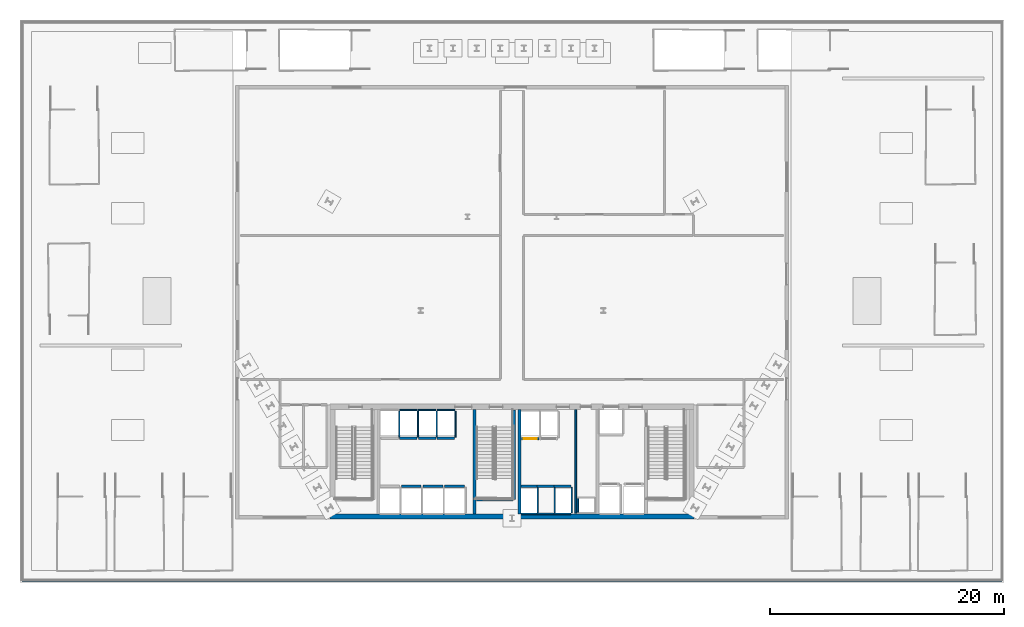
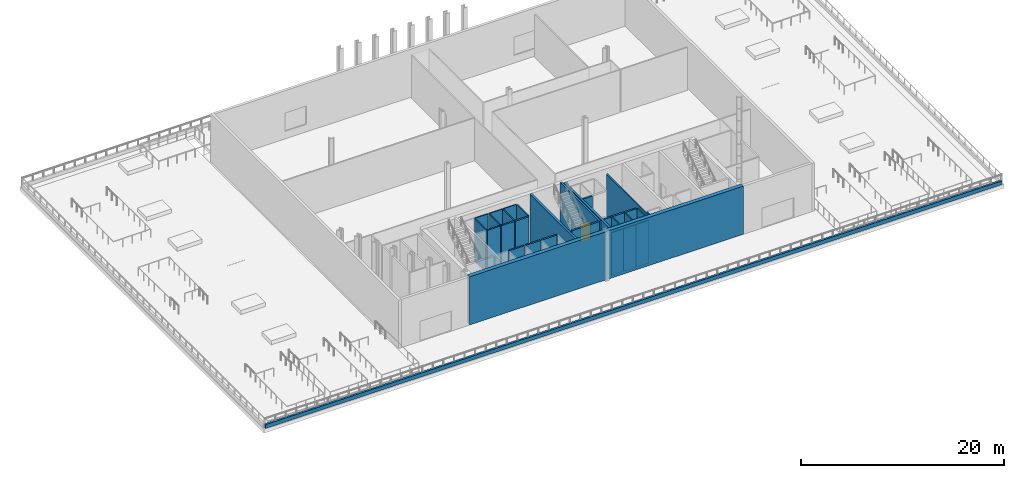
# One storey, part 4 of 13: 31 walls, 1 door, 1 opening.
"""IFC4 building model written with IfcOpenShell, lengths in metres."""

from ifc_helpers import new_model, si_unit, direction, frame, frame_2d, origin, place, context, subcontext, project, spatial, rectangle, extrude, material, layer, layer_set, type_object, element, fill, save


model = new_model("IFC4")

# Units and contexts
model_context = context("Model", 3, precision=1e-05, world=origin(), true_north=direction((0.0, 1.0)))
body_context = subcontext(model_context, "Body", "Model", "MODEL_VIEW")
ifc_project = project(units=[si_unit("LENGTHUNIT", "METRE"), si_unit("AREAUNIT", "SQUARE_METRE"), si_unit("VOLUMEUNIT", "CUBIC_METRE"), si_unit("PLANEANGLEUNIT", "RADIAN"), si_unit("MASSUNIT", "GRAM", prefix="KILO")], contexts=[model_context])

# Site, building, storey
site_placement = place(None, origin())
site = spatial("IfcSite", under=ifc_project, at=site_placement, CompositionType="ELEMENT")
building_placement = place(site_placement, origin())
building = spatial("IfcBuilding", under=site, at=building_placement, Name="Ndaravel Arena Tower", CompositionType="ELEMENT")
storey_placement = place(building_placement, frame((0.0, 0.0, 30.0)))
storey = spatial("IfcBuildingStorey", under=building, at=storey_placement, Name="L05", CompositionType="ELEMENT", Elevation=30.0)

# Walls
ifc_material_1 = material(Name="Gypsum", Category="gypsum")
ifc_layer_1 = layer(ifc_material_1, 0.14990234375)
ifc_layer_set_1 = layer_set([ifc_layer_1], Name="Gypsum")
wall_type_1 = type_object("IfcWallType", Name="WALL-COMP-150", PredefinedType="PARTITIONING", material=ifc_layer_set_1)
wall_1_placement = place(storey_placement, frame((47.449951171875, 5.89990234375, 0.0), z_axis=(0.0, 0.0, 1.0), x_axis=(0.0, 1.0, 0.0)))
element("IfcWall", 1, at=wall_1_placement, inside=storey, type_object=wall_type_1, Name="L05 Core Riser Bay Partition", PredefinedType="PARTITIONING", context=body_context, shape_type="SweptSolid", body=[
    extrude(rectangle(XDim=8.85009765625, YDim=0.14990234375, at=frame_2d((4.425048828125, 0.0))), origin(), (0.0, 0.0, 1.0), 5.1328125),
])
ifc_material_2 = material(Name="Concrete C60/75", Category="concrete")
ifc_layer_2 = layer(ifc_material_2, 0.25)
ifc_layer_set_2 = layer_set([ifc_layer_2], Name="Concrete C60/75")
wall_type_2 = type_object("IfcWallType", Name="WALL-CORE-250", PredefinedType="SOLIDWALL", material=ifc_layer_set_2)
for number, where, z_axis, x_axis, name in (
    (2, (38.800048828125, 5.85009765625, 0.0), (0.0, 0.0, 1.0), (0.0, 1.0, 0.0), "L05 Core Web Shear Wall 2"),
    (3, (42.64990234375, 5.85009765625, 0.0), (0.0, 0.0, 1.0), (0.0, 1.0, 0.0), "L05 Core Web Shear Wall 3"),
):
    element("IfcWall", number, at=place(storey_placement, frame(where, z_axis=z_axis, x_axis=x_axis)), inside=storey, type_object=wall_type_2, Name=name, PredefinedType="SOLIDWALL", context=body_context, shape_type="SweptSolid", body=[
        extrude(rectangle(XDim=8.89990234375, YDim=0.25, at=frame_2d((4.449951171875, 0.0))), origin(), (0.0, 0.0, 1.0), 5.780029296875),
    ])
ifc_material_3 = material(Name="Concrete C60/75", Category="concrete")
ifc_layer_3 = layer(ifc_material_3, 0.449951171875)
ifc_layer_set_3 = layer_set([ifc_layer_3], Name="Concrete C60/75")
wall_type_3 = type_object("IfcWallType", Name="WALL-CORE-450", PredefinedType="SOLIDWALL", material=ifc_layer_set_3)
wall_2_placement = place(storey_placement, frame((26.449951171875, 5.625, 0.0), z_axis=(0.0, 0.0, 1.0), x_axis=(1.0, 0.0, 0.0)))
element("IfcWall", 4, at=wall_2_placement, inside=storey, type_object=wall_type_3, Name="L05 Core South Shear Wall", PredefinedType="SOLIDWALL", context=body_context, shape_type="SweptSolid", body=[
    extrude(rectangle(XDim=31.10009765625, YDim=0.449951171875, at=frame_2d((15.550048828125, 0.0))), origin(), (0.0, 0.0, 1.0), 5.780029296875),
])
ifc_material_4 = material(Name="Masonry", Category="masonry")
ifc_layer_4 = layer(ifc_material_4, 0.219970703125)
ifc_layer_set_4 = layer_set([ifc_layer_4], Name="Masonry")
wall_type_4 = type_object("IfcWallType", Name="WALL-PARAPET-220", PredefinedType="PARAPET", material=ifc_layer_set_4)
wall_3_placement = place(storey_placement, frame((0.179931640625, 0.179931640625, 0.0), z_axis=(0.0, 0.0, 1.0), x_axis=(1.0, 0.0, 0.0)))
element("IfcWall", 5, at=wall_3_placement, inside=storey, type_object=wall_type_4, Name="L05 Garden Mazeras Upstand 1", PredefinedType="PARAPET", context=body_context, shape_type="SweptSolid", body=[
    extrude(rectangle(XDim=83.64013671875, YDim=0.219970703125, at=frame_2d((41.820068359375, 0.0))), origin(), (0.0, 0.0, 1.0), 0.449951171875),
])
ifc_material_5 = material(Name="Concrete C40/50", Category="concrete")
ifc_layer_5 = layer(ifc_material_5, 0.1201171875)
ifc_layer_set_5 = layer_set([ifc_layer_5], Name="Concrete C40/50")
wall_type_5 = type_object("IfcWallType", Name="WALL-SHAFT-120", PredefinedType="SOLIDWALL", material=ifc_layer_set_5)
wall_4_placement = place(storey_placement, frame((47.6201171875, 6.0, 0.0), z_axis=(0.0, 0.0, 1.0), x_axis=(0.0, 1.0, 0.0)))
element("IfcWall", 6, at=wall_4_placement, inside=storey, type_object=wall_type_5, Name="L05 MEP Riser Shaft W Wall", PredefinedType="SOLIDWALL", context=body_context, shape_type="SweptSolid", body=[
    extrude(rectangle(XDim=1.139892578125, YDim=0.1201171875, at=frame_2d((0.56982421875, 0.0))), origin(), (0.0, 0.0, 1.0), 5.1328125),
])
wall_5_placement = place(storey_placement, frame((32.375, 12.389892578125, 0.0), z_axis=(0.0, 0.0, 1.0), x_axis=(0.0, 1.0, 0.0)))
element("IfcWall", 7, at=wall_5_placement, inside=storey, type_object=wall_type_5, Name="L05 PL-M1 Shaft Side R Wall", PredefinedType="SOLIDWALL", context=body_context, shape_type="SweptSolid", body=[
    extrude(rectangle(XDim=2.230224609375, YDim=0.1201171875, at=frame_2d((1.115234375, 0.0))), origin(), (0.0, 0.0, 1.0), 5.1328125),
])
wall_6_placement = place(storey_placement, frame((32.405029296875, 14.7099609375, 0.0), z_axis=(0.0, 0.0, 1.0), x_axis=(1.0, 0.0, 0.0)))
element("IfcWall", 8, at=wall_6_placement, inside=storey, type_object=wall_type_5, Name="L05 PL-M2 Shaft Rear Wall", PredefinedType="SOLIDWALL", context=body_context, shape_type="SweptSolid", body=[
    extrude(rectangle(XDim=1.489990234375, YDim=0.1201171875, at=frame_2d((0.7451171875, 0.0))), origin(), (0.0, 0.0, 1.0), 5.1328125),
])
wall_7_placement = place(storey_placement, frame((33.97509765625, 12.389892578125, 0.0), z_axis=(0.0, 0.0, 1.0), x_axis=(0.0, 1.0, 0.0)))
element("IfcWall", 9, at=wall_7_placement, inside=storey, type_object=wall_type_5, Name="L05 PL-M2 Shaft Side R Wall", PredefinedType="SOLIDWALL", context=body_context, shape_type="SweptSolid", body=[
    extrude(rectangle(XDim=2.230224609375, YDim=0.1201171875, at=frame_2d((1.115234375, 0.0))), origin(), (0.0, 0.0, 1.0), 5.1328125),
])
wall_8_placement = place(storey_placement, frame((34.0048828125, 14.7099609375, 0.0), z_axis=(0.0, 0.0, 1.0), x_axis=(1.0, 0.0, 0.0)))
element("IfcWall", 10, at=wall_8_placement, inside=storey, type_object=wall_type_5, Name="L05 PL-M3 Shaft Rear Wall", PredefinedType="SOLIDWALL", context=body_context, shape_type="SweptSolid", body=[
    extrude(rectangle(XDim=1.490234375, YDim=0.1201171875, at=frame_2d((0.7451171875, 0.0))), origin(), (0.0, 0.0, 1.0), 5.1328125),
])
wall_9_placement = place(storey_placement, frame((35.574951171875, 12.389892578125, 0.0), z_axis=(0.0, 0.0, 1.0), x_axis=(0.0, 1.0, 0.0)))
element("IfcWall", 11, at=wall_9_placement, inside=storey, type_object=wall_type_5, Name="L05 PL-M3 Shaft Side R Wall", PredefinedType="SOLIDWALL", context=body_context, shape_type="SweptSolid", body=[
    extrude(rectangle(XDim=2.230224609375, YDim=0.1201171875, at=frame_2d((1.115234375, 0.0))), origin(), (0.0, 0.0, 1.0), 5.1328125),
])
wall_10_placement = place(storey_placement, frame((35.60498046875, 14.7099609375, 0.0), z_axis=(0.0, 0.0, 1.0), x_axis=(1.0, 0.0, 0.0)))
element("IfcWall", 12, at=wall_10_placement, inside=storey, type_object=wall_type_5, Name="L05 PL-M4 Shaft Rear Wall", PredefinedType="SOLIDWALL", context=body_context, shape_type="SweptSolid", body=[
    extrude(rectangle(XDim=1.489990234375, YDim=0.1201171875, at=frame_2d((0.7451171875, 0.0))), origin(), (0.0, 0.0, 1.0), 5.1328125),
])
wall_11_placement = place(storey_placement, frame((37.175048828125, 12.389892578125, 0.0), z_axis=(0.0, 0.0, 1.0), x_axis=(0.0, 1.0, 0.0)))
element("IfcWall", 13, at=wall_11_placement, inside=storey, type_object=wall_type_5, Name="L05 PL-M4 Shaft Side R Wall", PredefinedType="SOLIDWALL", context=body_context, shape_type="SweptSolid", body=[
    extrude(rectangle(XDim=2.230224609375, YDim=0.1201171875, at=frame_2d((1.115234375, 0.0))), origin(), (0.0, 0.0, 1.0), 5.1328125),
])
wall_12_placement = place(storey_placement, frame((42.780029296875, 5.840087890625, 0.0), z_axis=(0.0, 0.0, 1.0), x_axis=(1.0, 0.0, 0.0)))
element("IfcWall", 14, at=wall_12_placement, inside=storey, type_object=wall_type_5, Name="L05 PL-H1 Shaft Rear Wall", PredefinedType="SOLIDWALL", context=body_context, shape_type="SweptSolid", body=[
    extrude(rectangle(XDim=1.340087890625, YDim=0.1201171875, at=frame_2d((0.669921875, 0.0))), origin(), (0.0, 0.0, 1.0), 5.1328125),
])
wall_13_placement = place(storey_placement, frame((44.199951171875, 5.929931640625, 0.0), z_axis=(0.0, 0.0, 1.0), x_axis=(0.0, 1.0, 0.0)))
element("IfcWall", 15, at=wall_13_placement, inside=storey, type_object=wall_type_5, Name="L05 PL-H1 Shaft Side R Wall", PredefinedType="SOLIDWALL", context=body_context, shape_type="SweptSolid", body=[
    extrude(rectangle(XDim=2.18017578125, YDim=0.1201171875, at=frame_2d((1.090087890625, 0.0))), origin(), (0.0, 0.0, 1.0), 5.1328125),
])
wall_14_placement = place(storey_placement, frame((44.1298828125, 5.840087890625, 0.0), z_axis=(0.0, 0.0, 1.0), x_axis=(1.0, 0.0, 0.0)))
element("IfcWall", 16, at=wall_14_placement, inside=storey, type_object=wall_type_5, Name="L05 PL-H2 Shaft Rear Wall", PredefinedType="SOLIDWALL", context=body_context, shape_type="SweptSolid", body=[
    extrude(rectangle(XDim=1.440185546875, YDim=0.1201171875, at=frame_2d((0.72021484375, 0.0))), origin(), (0.0, 0.0, 1.0), 5.1328125),
])
wall_15_placement = place(storey_placement, frame((45.64990234375, 5.929931640625, 0.0), z_axis=(0.0, 0.0, 1.0), x_axis=(0.0, 1.0, 0.0)))
element("IfcWall", 17, at=wall_15_placement, inside=storey, type_object=wall_type_5, Name="L05 PL-H2 Shaft Side R Wall", PredefinedType="SOLIDWALL", context=body_context, shape_type="SweptSolid", body=[
    extrude(rectangle(XDim=2.18017578125, YDim=0.1201171875, at=frame_2d((1.090087890625, 0.0))), origin(), (0.0, 0.0, 1.0), 5.1328125),
])
wall_16_placement = place(storey_placement, frame((45.580078125, 5.840087890625, 0.0), z_axis=(0.0, 0.0, 1.0), x_axis=(1.0, 0.0, 0.0)))
element("IfcWall", 18, at=wall_16_placement, inside=storey, type_object=wall_type_5, Name="L05 PL-H3 Shaft Rear Wall", PredefinedType="SOLIDWALL", context=body_context, shape_type="SweptSolid", body=[
    extrude(rectangle(XDim=1.43994140625, YDim=0.1201171875, at=frame_2d((0.719970703125, 0.0))), origin(), (0.0, 0.0, 1.0), 5.1328125),
])
wall_17_placement = place(storey_placement, frame((47.10009765625, 5.929931640625, 0.0), z_axis=(0.0, 0.0, 1.0), x_axis=(0.0, 1.0, 0.0)))
element("IfcWall", 19, at=wall_17_placement, inside=storey, type_object=wall_type_5, Name="L05 PL-H3 Shaft Side R Wall", PredefinedType="SOLIDWALL", context=body_context, shape_type="SweptSolid", body=[
    extrude(rectangle(XDim=2.18017578125, YDim=0.1201171875, at=frame_2d((1.090087890625, 0.0))), origin(), (0.0, 0.0, 1.0), 5.1328125),
])
ifc_material_6 = material(Name="Concrete C40/50", Category="concrete")
ifc_layer_6 = layer(ifc_material_6, 0.199951171875)
ifc_layer_set_6 = layer_set([ifc_layer_6], Name="Concrete C40/50")
wall_type_6 = type_object("IfcWallType", Name="WALL-SHAFT-200", PredefinedType="SOLIDWALL", material=ifc_layer_set_6)
wall_18_placement = place(storey_placement, frame((42.18994140625, 14.699951171875, 0.0), z_axis=(0.0, 0.0, 1.0), x_axis=(0.0, -1.0, 0.0)))
element("IfcWall", 20, at=wall_18_placement, inside=storey, type_object=wall_type_6, Name="L05 ST-2 Structural Shaft Wall Right", PredefinedType="SOLIDWALL", context=body_context, shape_type="SweptSolid", body=[
    extrude(rectangle(XDim=7.64990234375, YDim=0.199951171875, at=frame_2d((3.824951171875, 0.0))), origin(), (0.0, 0.0, 1.0), 6.0),
])
wall_19_placement = place(storey_placement, frame((38.969970703125, 7.050048828125, 0.0), z_axis=(0.0, 0.0, 1.0), x_axis=(1.0, 0.0, 0.0)))
element("IfcWall", 21, at=wall_19_placement, inside=storey, type_object=wall_type_6, Name="L05 ST-2 Structural Shaft Wall Far", PredefinedType="SOLIDWALL", context=body_context, shape_type="SweptSolid", body=[
    extrude(rectangle(XDim=3.114990234375, YDim=0.199951171875, at=frame_2d((1.5576171875, 0.0))), origin(), (0.0, 0.0, 1.0), 6.0),
])
wall_20_placement = place(storey_placement, frame((32.554931640625, 8.199951171875, 0.0), z_axis=(0.0, 0.0, 1.0), x_axis=(1.0, 0.0, 0.0)))
element("IfcWall", 22, at=wall_20_placement, inside=storey, type_object=wall_type_6, Name="L05 PL-L2 Shaft Landing Wall", PredefinedType="SOLIDWALL", context=body_context, shape_type="SweptSolid", body=[
    extrude(rectangle(XDim=1.690185546875, YDim=0.179931640625, at=frame_2d((0.84521484375, 0.0))), origin(), (0.0, 0.0, 1.0), 5.1328125),
])
wall_21_placement = place(storey_placement, frame((34.405029296875, 8.199951171875, 0.0), z_axis=(0.0, 0.0, 1.0), x_axis=(1.0, 0.0, 0.0)))
element("IfcWall", 23, at=wall_21_placement, inside=storey, type_object=wall_type_6, Name="L05 PL-L3 Shaft Landing Wall", PredefinedType="SOLIDWALL", context=body_context, shape_type="SweptSolid", body=[
    extrude(rectangle(XDim=1.68994140625, YDim=0.179931640625, at=frame_2d((0.844970703125, 0.0))), origin(), (0.0, 0.0, 1.0), 5.1328125),
])
wall_22_placement = place(storey_placement, frame((36.2548828125, 8.199951171875, 0.0), z_axis=(0.0, 0.0, 1.0), x_axis=(1.0, 0.0, 0.0)))
element("IfcWall", 24, at=wall_22_placement, inside=storey, type_object=wall_type_6, Name="L05 PL-L4 Shaft Landing Wall", PredefinedType="SOLIDWALL", context=body_context, shape_type="SweptSolid", body=[
    extrude(rectangle(XDim=1.690185546875, YDim=0.179931640625, at=frame_2d((0.84521484375, 0.0))), origin(), (0.0, 0.0, 1.0), 5.1328125),
])
wall_23_placement = place(storey_placement, frame((32.405029296875, 12.300048828125, 0.0), z_axis=(0.0, 0.0, 1.0), x_axis=(1.0, 0.0, 0.0)))
element("IfcWall", 25, at=wall_23_placement, inside=storey, type_object=wall_type_6, Name="L05 PL-M2 Shaft Landing Wall", PredefinedType="SOLIDWALL", context=body_context, shape_type="SweptSolid", body=[
    extrude(rectangle(XDim=1.489990234375, YDim=0.179931640625, at=frame_2d((0.7451171875, 0.0))), origin(), (0.0, 0.0, 1.0), 5.1328125),
])
wall_24_placement = place(storey_placement, frame((34.0048828125, 12.300048828125, 0.0), z_axis=(0.0, 0.0, 1.0), x_axis=(1.0, 0.0, 0.0)))
element("IfcWall", 26, at=wall_24_placement, inside=storey, type_object=wall_type_6, Name="L05 PL-M3 Shaft Landing Wall", PredefinedType="SOLIDWALL", context=body_context, shape_type="SweptSolid", body=[
    extrude(rectangle(XDim=1.490234375, YDim=0.179931640625, at=frame_2d((0.7451171875, 0.0))), origin(), (0.0, 0.0, 1.0), 5.1328125),
])
wall_25_placement = place(storey_placement, frame((35.60498046875, 12.300048828125, 0.0), z_axis=(0.0, 0.0, 1.0), x_axis=(1.0, 0.0, 0.0)))
element("IfcWall", 27, at=wall_25_placement, inside=storey, type_object=wall_type_6, Name="L05 PL-M4 Shaft Landing Wall", PredefinedType="SOLIDWALL", context=body_context, shape_type="SweptSolid", body=[
    extrude(rectangle(XDim=1.489990234375, YDim=0.179931640625, at=frame_2d((0.7451171875, 0.0))), origin(), (0.0, 0.0, 1.0), 5.1328125),
])
wall_26_placement = place(storey_placement, frame((42.780029296875, 8.199951171875, 0.0), z_axis=(0.0, 0.0, 1.0), x_axis=(1.0, 0.0, 0.0)))
element("IfcWall", 28, at=wall_26_placement, inside=storey, type_object=wall_type_6, Name="L05 PL-H1 Shaft Landing Wall", PredefinedType="SOLIDWALL", context=body_context, shape_type="SweptSolid", body=[
    extrude(rectangle(XDim=1.340087890625, YDim=0.179931640625, at=frame_2d((0.669921875, 0.0))), origin(), (0.0, 0.0, 1.0), 5.1328125),
])
wall_27_placement = place(storey_placement, frame((44.1298828125, 8.199951171875, 0.0), z_axis=(0.0, 0.0, 1.0), x_axis=(1.0, 0.0, 0.0)))
element("IfcWall", 29, at=wall_27_placement, inside=storey, type_object=wall_type_6, Name="L05 PL-H2 Shaft Landing Wall", PredefinedType="SOLIDWALL", context=body_context, shape_type="SweptSolid", body=[
    extrude(rectangle(XDim=1.440185546875, YDim=0.179931640625, at=frame_2d((0.72021484375, 0.0))), origin(), (0.0, 0.0, 1.0), 5.1328125),
])
wall_28_placement = place(storey_placement, frame((45.580078125, 8.199951171875, 0.0), z_axis=(0.0, 0.0, 1.0), x_axis=(1.0, 0.0, 0.0)))
element("IfcWall", 30, at=wall_28_placement, inside=storey, type_object=wall_type_6, Name="L05 PL-H3 Shaft Landing Wall", PredefinedType="SOLIDWALL", context=body_context, shape_type="SweptSolid", body=[
    extrude(rectangle(XDim=1.43994140625, YDim=0.179931640625, at=frame_2d((0.719970703125, 0.0))), origin(), (0.0, 0.0, 1.0), 5.1328125),
])

# Wall, opening, door
wall_29_placement = place(storey_placement, frame((42.804931640625, 12.25, 0.0), z_axis=(0.0, 0.0, 1.0), x_axis=(1.0, 0.0, 0.0)))
wall_29 = element("IfcWall", 31, at=wall_29_placement, inside=storey, type_object=wall_type_6, Name="L05 PL-OBS1 Shaft Landing Wall", PredefinedType="SOLIDWALL", context=body_context, shape_type="SweptSolid", body=[
    extrude(rectangle(XDim=1.489990234375, YDim=0.179931640625, at=frame_2d((0.7451171875, 0.0))), origin(), (0.0, 0.0, 1.0), 5.1328125),
])
opening_placement = place(wall_29_placement, frame((0.195068359375, 0.0, 0.0)))
opening = element("IfcOpeningElement", 32, at=opening_placement, cuts=wall_29, Name="Opening LD-01", PredefinedType="OPENING", context=body_context, shape_type="SweptSolid", body=[
    extrude(rectangle(XDim=1.10009765625, YDim=2.199951171875, at=frame_2d((0.550048828125, 1.10009765625))), frame((0.0, 0.08984375, 0.0), z_axis=(0.0, -1.0, 0.0), x_axis=(1.0, 0.0, 0.0)), (0.0, 0.0, 1.0), 0.179931640625),
])
ifc_material_7 = material(Name="Steel S355", Category="steel")
door_type = type_object("IfcDoorType", Name="DT-06-LIFT-1100", OperationType="SLIDING_TO_LEFT", PredefinedType="DOOR", material=ifc_material_7)
door_placement = place(opening_placement, origin())
door = element("IfcDoor", 33, at=door_placement, inside=storey, type_object=door_type, Name="L05 Lift PL-OBS1 Sliding Landing Door", OperationType="SLIDING_TO_LEFT", OverallHeight=2.199951171875, OverallWidth=1.10009765625, PredefinedType="DOOR", context=body_context, shape_type="SweptSolid", body=[
    extrude(rectangle(XDim=1.10009765625, YDim=2.199951171875, at=frame_2d((0.550048828125, 1.10009765625))), frame((0.0, 0.02490234375, 0.0), z_axis=(0.0, -1.0, 0.0), x_axis=(1.0, 0.0, 0.0)), (0.0, 0.0, 1.0), 0.050048828125),
])
fill(opening, door)

save(model, "model.ifc")
